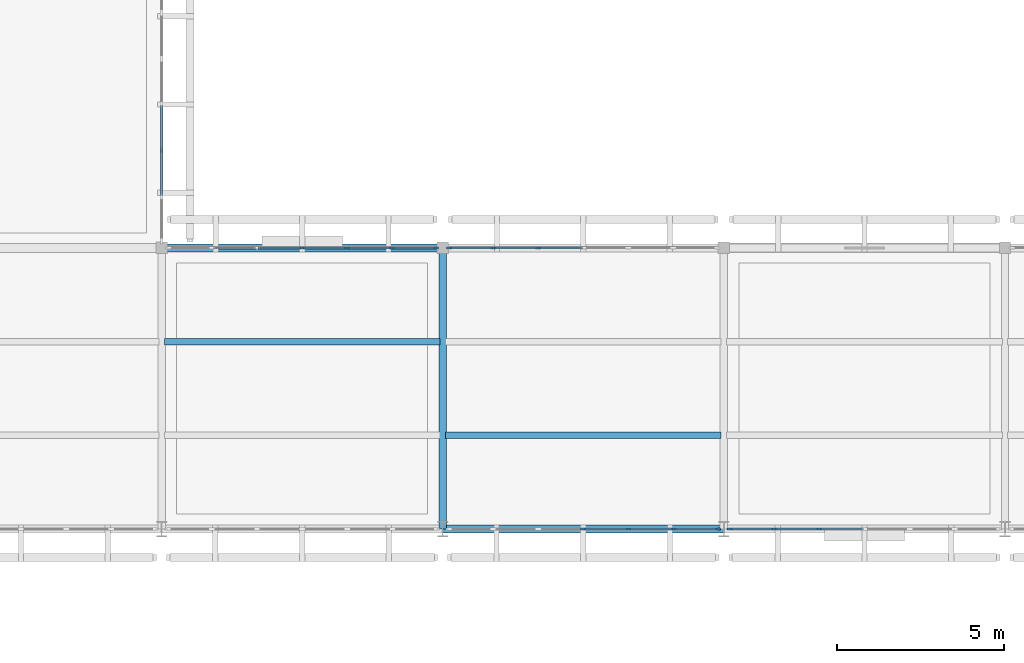
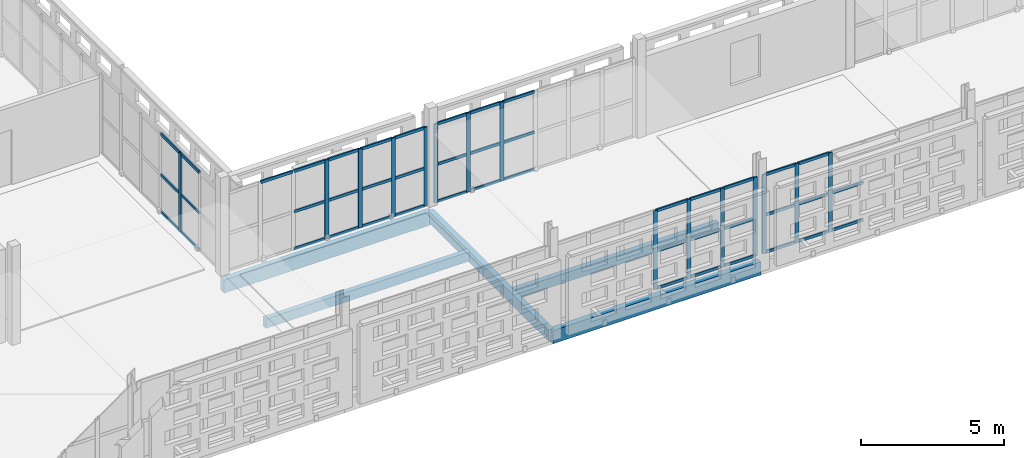
# One storey, part 53 of 140: 60 members, 5 beams, 5 elements without a shape of their own.
"""IFC4 building model written with IfcOpenShell, lengths in metres."""

from ifc_helpers import new_model, si_unit, direction, frame, origin, origin_2d, place, context, subcontext, project, spatial, rectangle, extrude, material, layer, layer_set, material_profile, profile_set, type_object, element, aggregate, save


model = new_model("IFC4")

# Units and contexts
model_context = context("Model", 3, precision=1e-05, world=origin(), true_north=direction((0.0, 1.0)))
body_context = subcontext(model_context, "Body", "Model", "MODEL_VIEW")
ifc_project = project(units=[si_unit("LENGTHUNIT", "METRE"), si_unit("AREAUNIT", "SQUARE_METRE"), si_unit("VOLUMEUNIT", "CUBIC_METRE"), si_unit("PLANEANGLEUNIT", "RADIAN"), si_unit("MASSUNIT", "GRAM", prefix="KILO")], contexts=[model_context])

# Site, building, storey
site_placement = place(None, origin())
site = spatial("IfcSite", under=ifc_project, at=site_placement, CompositionType="ELEMENT")
building_placement = place(site_placement, origin())
building = spatial("IfcBuilding", under=site, at=building_placement, Name="Varnapada Polytechnic", CompositionType="ELEMENT")
storey_placement = place(building_placement, frame((0.0, 0.0, 13.800048828125)))
storey = spatial("IfcBuildingStorey", under=building, at=storey_placement, Name="L03", CompositionType="ELEMENT", Elevation=13.800048828125)

# Beams
ifc_material_1 = material(Name="Glulam GL32h", Category="wood")
ifc_material_profile_1 = material_profile(ifc_material_1, rectangle(XDim=0.199951171875, YDim=0.39990234375, at=origin_2d()), Name="GL 200x400")
ifc_profile_set_1 = profile_set([ifc_material_profile_1], Name="Glulam GL32h")
beam_type_1 = type_object("IfcBeamType", Name="Library/laboratory glulam floor joist GJ-01 (GL 200x400)", PredefinedType="JOIST", material=ifc_profile_set_1)
for number, where, z_axis, x_axis, name in (
    (1, (67.280029296875, 89.60009765625, -0.43994140625), (1.0, 0.0, 0.0), (0.0, 1.0, 0.0), "L03 floor joist 9/11.2"),
    (2, (75.679931640625, 86.800048828125, -0.43994140625), (1.0, 0.0, 0.0), (0.0, 1.0, 0.0), "L03 floor joist 10/11.1"),
):
    element("IfcBeam", number, at=place(storey_placement, frame(where, z_axis=z_axis, x_axis=x_axis)), inside=storey, type_object=beam_type_1, Name=name, PredefinedType="JOIST", context=body_context, shape_type="SweptSolid", body=[
        extrude(rectangle(XDim=0.199951171875, YDim=0.39990234375, at=origin_2d()), origin(), (0.0, 0.0, 1.0), 8.239990234375),
    ])

# Curtain wall, member
ifc_material_2 = material(Name="Double low-E laminated glass", Category="glass")
ifc_layer_1 = layer(ifc_material_2, 0.159912109375)
ifc_layer_set_1 = layer_set([ifc_layer_1], Name="Double low-E laminated glass")
curtain_wall_type_1 = type_object("IfcCurtainWallType", Name="Curtain Wall CW-02", PredefinedType="NOTDEFINED", material=ifc_layer_set_1)
curtain_wall_1_placement = place(storey_placement, origin())
curtain_wall_1 = element("IfcCurtainWall", 3, at=curtain_wall_1_placement, inside=storey, type_object=curtain_wall_type_1, Name="L03 unitised curtain wall CW-02 (230)", PredefinedType="NOTDEFINED")
ifc_material_3 = material(Name="Anodised aluminium", Category="aluminium")
ifc_material_profile_2 = material_profile(ifc_material_3, rectangle(XDim=0.06005859375, YDim=0.159912109375, at=origin_2d()), Name="ALU M60x160")
ifc_profile_set_2 = profile_set([ifc_material_profile_2], Name="Anodised aluminium")
member_type_1 = type_object("IfcMemberType", Name="Mullion M-01", PredefinedType="MULLION", material=ifc_profile_set_2)
member_1_placement = place(storey_placement, frame((67.199951171875, 95.313232421875, 0.0), z_axis=(0.0, 0.0, 1.0), x_axis=(1.0, 0.0, 0.0)))
member_1 = element("IfcMember", 4, at=member_1_placement, type_object=member_type_1, Name="CW-02 mullion 5", PredefinedType="MULLION", context=body_context, shape_type="SweptSolid", body=[
    extrude(rectangle(XDim=0.06005859375, YDim=0.159912109375, at=origin_2d()), origin(), (0.0, 0.0, 1.0), 3.35986328125),
])

# Curtain wall, members
curtain_wall_2_placement = place(storey_placement, origin())
curtain_wall_2 = element("IfcCurtainWall", 5, at=curtain_wall_2_placement, inside=storey, type_object=curtain_wall_type_1, Name="L03 unitised curtain wall CW-02 (235)", PredefinedType="NOTDEFINED")
member_2_placement = place(storey_placement, frame((71.39990234375, 92.39990234375, 0.0), z_axis=(0.0, 0.0, 1.0), x_axis=(0.0, 1.0, 0.0)))
member_2 = element("IfcMember", 6, at=member_2_placement, type_object=member_type_1, Name="CW-02 mullion 4", PredefinedType="MULLION", context=body_context, shape_type="SweptSolid", body=[
    extrude(rectangle(XDim=0.06005859375, YDim=0.159912109375, at=origin_2d()), origin(), (0.0, 0.0, 1.0), 3.35986328125),
])
member_3_placement = place(storey_placement, frame((72.743408203125, 92.39990234375, 0.0), z_axis=(0.0, 0.0, 1.0), x_axis=(0.0, 1.0, 0.0)))
member_3 = element("IfcMember", 7, at=member_3_placement, type_object=member_type_1, Name="CW-02 mullion 5", PredefinedType="MULLION", context=body_context, shape_type="SweptSolid", body=[
    extrude(rectangle(XDim=0.06005859375, YDim=0.159912109375, at=origin_2d()), origin(), (0.0, 0.0, 1.0), 3.35986328125),
])
member_4_placement = place(storey_placement, frame((74.086669921875, 92.39990234375, 0.0), z_axis=(0.0, 0.0, 1.0), x_axis=(0.0, 1.0, 0.0)))
member_4 = element("IfcMember", 8, at=member_4_placement, type_object=member_type_1, Name="CW-02 mullion 6", PredefinedType="MULLION", context=body_context, shape_type="SweptSolid", body=[
    extrude(rectangle(XDim=0.06005859375, YDim=0.159912109375, at=origin_2d()), origin(), (0.0, 0.0, 1.0), 3.35986328125),
])
member_5_placement = place(storey_placement, frame((75.39990234375, 92.39990234375, 0.0), z_axis=(0.0, 0.0, 1.0), x_axis=(0.0, 1.0, 0.0)))
member_5 = element("IfcMember", 9, at=member_5_placement, type_object=member_type_1, Name="CW-02 mullion 7", PredefinedType="MULLION", context=body_context, shape_type="SweptSolid", body=[
    extrude(rectangle(XDim=0.06005859375, YDim=0.159912109375, at=origin_2d()), origin(), (0.0, 0.0, 1.0), 3.35986328125),
])

ifc_layer_2 = layer(ifc_material_2, 0.159912109375)
ifc_layer_set_2 = layer_set([ifc_layer_2], Name="Double low-E laminated glass")
curtain_wall_type_2 = type_object("IfcCurtainWallType", Name="Curtain Wall CW-01", PredefinedType="NOTDEFINED", material=ifc_layer_set_2)
curtain_wall_3_placement = place(storey_placement, origin())
curtain_wall_3 = element("IfcCurtainWall", 10, at=curtain_wall_3_placement, inside=storey, type_object=curtain_wall_type_2, Name="L03 unitised curtain wall CW-01 (236)", PredefinedType="NOTDEFINED")
member_6_placement = place(storey_placement, frame((83.820068359375, 84.0, 0.0), z_axis=(0.0, 0.0, 1.0), x_axis=(0.0, -1.0, 0.0)))
member_6 = element("IfcMember", 11, at=member_6_placement, type_object=member_type_1, Name="CW-01 mullion 1", PredefinedType="MULLION", context=body_context, shape_type="SweptSolid", body=[
    extrude(rectangle(XDim=0.06005859375, YDim=0.159912109375, at=origin_2d()), origin(), (0.0, 0.0, 1.0), 3.35986328125),
])
member_7_placement = place(storey_placement, frame((82.5, 84.0, 0.0), z_axis=(0.0, 0.0, 1.0), x_axis=(0.0, -1.0, 0.0)))
member_7 = element("IfcMember", 12, at=member_7_placement, type_object=member_type_1, Name="CW-01 mullion 2", PredefinedType="MULLION", context=body_context, shape_type="SweptSolid", body=[
    extrude(rectangle(XDim=0.06005859375, YDim=0.159912109375, at=origin_2d()), origin(), (0.0, 0.0, 1.0), 3.35986328125),
])
member_8_placement = place(storey_placement, frame((81.14990234375, 84.0, 0.0), z_axis=(0.0, 0.0, 1.0), x_axis=(0.0, -1.0, 0.0)))
member_8 = element("IfcMember", 13, at=member_8_placement, type_object=member_type_1, Name="CW-01 mullion 3", PredefinedType="MULLION", context=body_context, shape_type="SweptSolid", body=[
    extrude(rectangle(XDim=0.06005859375, YDim=0.159912109375, at=origin_2d()), origin(), (0.0, 0.0, 1.0), 3.35986328125),
])
member_9_placement = place(storey_placement, frame((79.800048828125, 84.0, 0.0), z_axis=(0.0, 0.0, 1.0), x_axis=(0.0, -1.0, 0.0)))
member_9 = element("IfcMember", 14, at=member_9_placement, type_object=member_type_1, Name="CW-01 mullion 4", PredefinedType="MULLION", context=body_context, shape_type="SweptSolid", body=[
    extrude(rectangle(XDim=0.06005859375, YDim=0.159912109375, at=origin_2d()), origin(), (0.0, 0.0, 1.0), 3.35986328125),
])

curtain_wall_4_placement = place(storey_placement, origin())
curtain_wall_4 = element("IfcCurtainWall", 15, at=curtain_wall_4_placement, inside=storey, type_object=curtain_wall_type_1, Name="L03 unitised curtain wall CW-02 (237)", PredefinedType="NOTDEFINED")
member_10_placement = place(storey_placement, frame((75.800048828125, 92.39990234375, 0.0), z_axis=(0.0, 0.0, 1.0), x_axis=(0.0, 1.0, 0.0)))
member_10 = element("IfcMember", 16, at=member_10_placement, type_object=member_type_1, Name="CW-02 mullion 1", PredefinedType="MULLION", context=body_context, shape_type="SweptSolid", body=[
    extrude(rectangle(XDim=0.06005859375, YDim=0.159912109375, at=origin_2d()), origin(), (0.0, 0.0, 1.0), 3.35986328125),
])
member_11_placement = place(storey_placement, frame((77.11328125, 92.39990234375, 0.0), z_axis=(0.0, 0.0, 1.0), x_axis=(0.0, 1.0, 0.0)))
member_11 = element("IfcMember", 17, at=member_11_placement, type_object=member_type_1, Name="CW-02 mullion 2", PredefinedType="MULLION", context=body_context, shape_type="SweptSolid", body=[
    extrude(rectangle(XDim=0.06005859375, YDim=0.159912109375, at=origin_2d()), origin(), (0.0, 0.0, 1.0), 3.35986328125),
])
member_12_placement = place(storey_placement, frame((78.456787109375, 92.39990234375, 0.0), z_axis=(0.0, 0.0, 1.0), x_axis=(0.0, 1.0, 0.0)))
member_12 = element("IfcMember", 18, at=member_12_placement, type_object=member_type_1, Name="CW-02 mullion 3", PredefinedType="MULLION", context=body_context, shape_type="SweptSolid", body=[
    extrude(rectangle(XDim=0.06005859375, YDim=0.159912109375, at=origin_2d()), origin(), (0.0, 0.0, 1.0), 3.35986328125),
])

curtain_wall_5_placement = place(storey_placement, origin())
curtain_wall_5 = element("IfcCurtainWall", 19, at=curtain_wall_5_placement, inside=storey, type_object=curtain_wall_type_2, Name="L03 unitised curtain wall CW-01 (238)", PredefinedType="NOTDEFINED")
member_13_placement = place(storey_placement, frame((86.85009765625, 84.0, 0.0), z_axis=(0.0, 0.0, 1.0), x_axis=(0.0, -1.0, 0.0)))
member_13 = element("IfcMember", 20, at=member_13_placement, type_object=member_type_1, Name="CW-01 mullion 5", PredefinedType="MULLION", context=body_context, shape_type="SweptSolid", body=[
    extrude(rectangle(XDim=0.06005859375, YDim=0.159912109375, at=origin_2d()), origin(), (0.0, 0.0, 1.0), 3.35986328125),
])
member_14_placement = place(storey_placement, frame((85.5, 84.0, 0.0), z_axis=(0.0, 0.0, 1.0), x_axis=(0.0, -1.0, 0.0)))
member_14 = element("IfcMember", 21, at=member_14_placement, type_object=member_type_1, Name="CW-01 mullion 6", PredefinedType="MULLION", context=body_context, shape_type="SweptSolid", body=[
    extrude(rectangle(XDim=0.06005859375, YDim=0.159912109375, at=origin_2d()), origin(), (0.0, 0.0, 1.0), 3.35986328125),
])
member_15_placement = place(storey_placement, frame((84.179931640625, 84.0, 0.0), z_axis=(0.0, 0.0, 1.0), x_axis=(0.0, -1.0, 0.0)))
member_15 = element("IfcMember", 22, at=member_15_placement, type_object=member_type_1, Name="CW-01 mullion 7", PredefinedType="MULLION", context=body_context, shape_type="SweptSolid", body=[
    extrude(rectangle(XDim=0.06005859375, YDim=0.159912109375, at=origin_2d()), origin(), (0.0, 0.0, 1.0), 3.35986328125),
])

# Beams
ifc_material_profile_3 = material_profile(ifc_material_1, rectangle(XDim=0.239990234375, YDim=0.56005859375, at=origin_2d()), Name="GL 240x560")
ifc_profile_set_3 = profile_set([ifc_material_profile_3], Name="Glulam GL32h")
beam_type_2 = type_object("IfcBeamType", Name="Perimeter glulam spandrel beam SP-02 (GL 240x560)", PredefinedType="SPANDREL", material=ifc_profile_set_3)
beam_1_placement = place(storey_placement, frame((67.199951171875, 92.39990234375, -0.52001953125), z_axis=(1.0, 0.0, 0.0), x_axis=(0.0, 1.0, 0.0)))
element("IfcBeam", 23, at=beam_1_placement, inside=storey, type_object=beam_type_2, Name="L03 beam X 9-10 at Y12", PredefinedType="SPANDREL", context=body_context, shape_type="SweptSolid", body=[
    extrude(rectangle(XDim=0.239990234375, YDim=0.56005859375, at=origin_2d()), origin(), (0.0, 0.0, 1.0), 8.400146484375),
])
beam_2_placement = place(storey_placement, frame((75.60009765625, 84.0, -0.52001953125), z_axis=(1.0, 0.0, 0.0), x_axis=(0.0, 1.0, 0.0)))
element("IfcBeam", 24, at=beam_2_placement, inside=storey, type_object=beam_type_2, Name="L03 beam X 10-11 at Y11", PredefinedType="SPANDREL", context=body_context, shape_type="SweptSolid", body=[
    extrude(rectangle(XDim=0.239990234375, YDim=0.56005859375, at=origin_2d()), origin(), (0.0, 0.0, 1.0), 8.39990234375),
])

# Member
ifc_material_profile_4 = material_profile(ifc_material_3, rectangle(XDim=0.06005859375, YDim=0.1201171875, at=origin_2d()), Name="ALU T60x120")
ifc_profile_set_4 = profile_set([ifc_material_profile_4], Name="Anodised aluminium")
member_type_2 = type_object("IfcMemberType", Name="Transom T-01", PredefinedType="USERDEFINED", material=ifc_profile_set_4)
member_16_placement = place(storey_placement, frame((67.199951171875, 96.655029296875, 0.030029296875), z_axis=(0.0, -1.0, 0.0), x_axis=(1.0, 0.0, 0.0)))
member_16 = element("IfcMember", 25, at=member_16_placement, type_object=member_type_2, Name="CW-02 transom 4.1", ObjectType="TRANSOM", PredefinedType="USERDEFINED", context=body_context, shape_type="SweptSolid", body=[
    extrude(rectangle(XDim=0.06005859375, YDim=0.1201171875, at=origin_2d()), origin(), (0.0, 0.0, 1.0), 1.311767578125),
])

member_17_placement = place(storey_placement, frame((67.199951171875, 96.655029296875, 1.61279296875), z_axis=(0.0, -1.0, 0.0), x_axis=(1.0, 0.0, 0.0)))
member_17 = element("IfcMember", 26, at=member_17_placement, type_object=member_type_2, Name="CW-02 transom 4.2", ObjectType="TRANSOM", PredefinedType="USERDEFINED", context=body_context, shape_type="SweptSolid", body=[
    extrude(rectangle(XDim=0.06005859375, YDim=0.1201171875, at=origin_2d()), origin(), (0.0, 0.0, 1.0), 1.311767578125),
])

member_18_placement = place(storey_placement, frame((67.199951171875, 96.655029296875, 3.329833984375), z_axis=(0.0, -1.0, 0.0), x_axis=(1.0, 0.0, 0.0)))
member_18 = element("IfcMember", 27, at=member_18_placement, type_object=member_type_2, Name="CW-02 transom 4.3", ObjectType="TRANSOM", PredefinedType="USERDEFINED", context=body_context, shape_type="SweptSolid", body=[
    extrude(rectangle(XDim=0.06005859375, YDim=0.1201171875, at=origin_2d()), origin(), (0.0, 0.0, 1.0), 1.311767578125),
])

member_19_placement = place(storey_placement, frame((67.199951171875, 95.283447265625, 0.030029296875), z_axis=(0.0, -1.0, 0.0), x_axis=(1.0, 0.0, 0.0)))
member_19 = element("IfcMember", 28, at=member_19_placement, type_object=member_type_2, Name="CW-02 transom 5.1", ObjectType="TRANSOM", PredefinedType="USERDEFINED", context=body_context, shape_type="SweptSolid", body=[
    extrude(rectangle(XDim=0.06005859375, YDim=0.1201171875, at=origin_2d()), origin(), (0.0, 0.0, 1.0), 1.311767578125),
])

member_20_placement = place(storey_placement, frame((67.199951171875, 95.283447265625, 1.61279296875), z_axis=(0.0, -1.0, 0.0), x_axis=(1.0, 0.0, 0.0)))
member_20 = element("IfcMember", 29, at=member_20_placement, type_object=member_type_2, Name="CW-02 transom 5.2", ObjectType="TRANSOM", PredefinedType="USERDEFINED", context=body_context, shape_type="SweptSolid", body=[
    extrude(rectangle(XDim=0.06005859375, YDim=0.1201171875, at=origin_2d()), origin(), (0.0, 0.0, 1.0), 1.311767578125),
])

member_21_placement = place(storey_placement, frame((67.199951171875, 95.283447265625, 3.329833984375), z_axis=(0.0, -1.0, 0.0), x_axis=(1.0, 0.0, 0.0)))
member_21 = element("IfcMember", 30, at=member_21_placement, type_object=member_type_2, Name="CW-02 transom 5.3", ObjectType="TRANSOM", PredefinedType="USERDEFINED", context=body_context, shape_type="SweptSolid", body=[
    extrude(rectangle(XDim=0.06005859375, YDim=0.1201171875, at=origin_2d()), origin(), (0.0, 0.0, 1.0), 1.311767578125),
])

aggregate(curtain_wall_1, [member_1, member_16, member_17, member_18, member_19, member_20, member_21])

member_22_placement = place(storey_placement, frame((68.743408203125, 92.39990234375, 3.329833984375), z_axis=(1.0, 0.0, 0.0), x_axis=(0.0, 1.0, 0.0)))
member_22 = element("IfcMember", 31, at=member_22_placement, type_object=member_type_2, Name="CW-02 transom 2.3", ObjectType="TRANSOM", PredefinedType="USERDEFINED", context=body_context, shape_type="SweptSolid", body=[
    extrude(rectangle(XDim=0.06005859375, YDim=0.1201171875, at=origin_2d()), origin(), (0.0, 0.0, 1.0), 1.283203125),
])

member_23_placement = place(storey_placement, frame((70.086669921875, 92.39990234375, 0.030029296875), z_axis=(1.0, 0.0, 0.0), x_axis=(0.0, 1.0, 0.0)))
member_23 = element("IfcMember", 32, at=member_23_placement, type_object=member_type_2, Name="CW-02 transom 3.1", ObjectType="TRANSOM", PredefinedType="USERDEFINED", context=body_context, shape_type="SweptSolid", body=[
    extrude(rectangle(XDim=0.06005859375, YDim=0.1201171875, at=origin_2d()), origin(), (0.0, 0.0, 1.0), 1.283447265625),
])

member_24_placement = place(storey_placement, frame((70.086669921875, 92.39990234375, 1.61279296875), z_axis=(1.0, 0.0, 0.0), x_axis=(0.0, 1.0, 0.0)))
member_24 = element("IfcMember", 33, at=member_24_placement, type_object=member_type_2, Name="CW-02 transom 3.2", ObjectType="TRANSOM", PredefinedType="USERDEFINED", context=body_context, shape_type="SweptSolid", body=[
    extrude(rectangle(XDim=0.06005859375, YDim=0.1201171875, at=origin_2d()), origin(), (0.0, 0.0, 1.0), 1.283447265625),
])

member_25_placement = place(storey_placement, frame((70.086669921875, 92.39990234375, 3.329833984375), z_axis=(1.0, 0.0, 0.0), x_axis=(0.0, 1.0, 0.0)))
member_25 = element("IfcMember", 34, at=member_25_placement, type_object=member_type_2, Name="CW-02 transom 3.3", ObjectType="TRANSOM", PredefinedType="USERDEFINED", context=body_context, shape_type="SweptSolid", body=[
    extrude(rectangle(XDim=0.06005859375, YDim=0.1201171875, at=origin_2d()), origin(), (0.0, 0.0, 1.0), 1.283447265625),
])

member_26_placement = place(storey_placement, frame((71.429931640625, 92.39990234375, 0.030029296875), z_axis=(1.0, 0.0, 0.0), x_axis=(0.0, 1.0, 0.0)))
member_26 = element("IfcMember", 35, at=member_26_placement, type_object=member_type_2, Name="CW-02 transom 4.1", ObjectType="TRANSOM", PredefinedType="USERDEFINED", context=body_context, shape_type="SweptSolid", body=[
    extrude(rectangle(XDim=0.06005859375, YDim=0.1201171875, at=origin_2d()), origin(), (0.0, 0.0, 1.0), 1.283447265625),
])

member_27_placement = place(storey_placement, frame((71.429931640625, 92.39990234375, 1.61279296875), z_axis=(1.0, 0.0, 0.0), x_axis=(0.0, 1.0, 0.0)))
member_27 = element("IfcMember", 36, at=member_27_placement, type_object=member_type_2, Name="CW-02 transom 4.2", ObjectType="TRANSOM", PredefinedType="USERDEFINED", context=body_context, shape_type="SweptSolid", body=[
    extrude(rectangle(XDim=0.06005859375, YDim=0.1201171875, at=origin_2d()), origin(), (0.0, 0.0, 1.0), 1.283447265625),
])

member_28_placement = place(storey_placement, frame((71.429931640625, 92.39990234375, 3.329833984375), z_axis=(1.0, 0.0, 0.0), x_axis=(0.0, 1.0, 0.0)))
member_28 = element("IfcMember", 37, at=member_28_placement, type_object=member_type_2, Name="CW-02 transom 4.3", ObjectType="TRANSOM", PredefinedType="USERDEFINED", context=body_context, shape_type="SweptSolid", body=[
    extrude(rectangle(XDim=0.06005859375, YDim=0.1201171875, at=origin_2d()), origin(), (0.0, 0.0, 1.0), 1.283447265625),
])

member_29_placement = place(storey_placement, frame((72.7734375, 92.39990234375, 0.030029296875), z_axis=(1.0, 0.0, 0.0), x_axis=(0.0, 1.0, 0.0)))
member_29 = element("IfcMember", 38, at=member_29_placement, type_object=member_type_2, Name="CW-02 transom 5.1", ObjectType="TRANSOM", PredefinedType="USERDEFINED", context=body_context, shape_type="SweptSolid", body=[
    extrude(rectangle(XDim=0.06005859375, YDim=0.1201171875, at=origin_2d()), origin(), (0.0, 0.0, 1.0), 1.283203125),
])

member_30_placement = place(storey_placement, frame((72.7734375, 92.39990234375, 1.61279296875), z_axis=(1.0, 0.0, 0.0), x_axis=(0.0, 1.0, 0.0)))
member_30 = element("IfcMember", 39, at=member_30_placement, type_object=member_type_2, Name="CW-02 transom 5.2", ObjectType="TRANSOM", PredefinedType="USERDEFINED", context=body_context, shape_type="SweptSolid", body=[
    extrude(rectangle(XDim=0.06005859375, YDim=0.1201171875, at=origin_2d()), origin(), (0.0, 0.0, 1.0), 1.283203125),
])

member_31_placement = place(storey_placement, frame((72.7734375, 92.39990234375, 3.329833984375), z_axis=(1.0, 0.0, 0.0), x_axis=(0.0, 1.0, 0.0)))
member_31 = element("IfcMember", 40, at=member_31_placement, type_object=member_type_2, Name="CW-02 transom 5.3", ObjectType="TRANSOM", PredefinedType="USERDEFINED", context=body_context, shape_type="SweptSolid", body=[
    extrude(rectangle(XDim=0.06005859375, YDim=0.1201171875, at=origin_2d()), origin(), (0.0, 0.0, 1.0), 1.283203125),
])

member_32_placement = place(storey_placement, frame((74.11669921875, 92.39990234375, 0.030029296875), z_axis=(1.0, 0.0, 0.0), x_axis=(0.0, 1.0, 0.0)))
member_32 = element("IfcMember", 41, at=member_32_placement, type_object=member_type_2, Name="CW-02 transom 6.1", ObjectType="TRANSOM", PredefinedType="USERDEFINED", context=body_context, shape_type="SweptSolid", body=[
    extrude(rectangle(XDim=0.06005859375, YDim=0.1201171875, at=origin_2d()), origin(), (0.0, 0.0, 1.0), 1.25341796875),
])

member_33_placement = place(storey_placement, frame((74.11669921875, 92.39990234375, 1.61279296875), z_axis=(1.0, 0.0, 0.0), x_axis=(0.0, 1.0, 0.0)))
member_33 = element("IfcMember", 42, at=member_33_placement, type_object=member_type_2, Name="CW-02 transom 6.2", ObjectType="TRANSOM", PredefinedType="USERDEFINED", context=body_context, shape_type="SweptSolid", body=[
    extrude(rectangle(XDim=0.06005859375, YDim=0.1201171875, at=origin_2d()), origin(), (0.0, 0.0, 1.0), 1.25341796875),
])

member_34_placement = place(storey_placement, frame((74.11669921875, 92.39990234375, 3.329833984375), z_axis=(1.0, 0.0, 0.0), x_axis=(0.0, 1.0, 0.0)))
member_34 = element("IfcMember", 43, at=member_34_placement, type_object=member_type_2, Name="CW-02 transom 6.3", ObjectType="TRANSOM", PredefinedType="USERDEFINED", context=body_context, shape_type="SweptSolid", body=[
    extrude(rectangle(XDim=0.06005859375, YDim=0.1201171875, at=origin_2d()), origin(), (0.0, 0.0, 1.0), 1.25341796875),
])

aggregate(curtain_wall_2, [member_2, member_3, member_4, member_5, member_22, member_23, member_24, member_25, member_26, member_27, member_28, member_29, member_30, member_31, member_32, member_33, member_34])

member_35_placement = place(storey_placement, frame((83.7900390625, 84.0, 0.030029296875), z_axis=(-1.0, 0.0, 0.0), x_axis=(0.0, -1.0, 0.0)))
member_35 = element("IfcMember", 44, at=member_35_placement, type_object=member_type_2, Name="CW-01 transom 1.1", ObjectType="TRANSOM", PredefinedType="USERDEFINED", context=body_context, shape_type="SweptSolid", body=[
    extrude(rectangle(XDim=0.06005859375, YDim=0.1201171875, at=origin_2d()), origin(), (0.0, 0.0, 1.0), 1.260009765625),
])

member_36_placement = place(storey_placement, frame((83.7900390625, 84.0, 1.61279296875), z_axis=(-1.0, 0.0, 0.0), x_axis=(0.0, -1.0, 0.0)))
member_36 = element("IfcMember", 45, at=member_36_placement, type_object=member_type_2, Name="CW-01 transom 1.2", ObjectType="TRANSOM", PredefinedType="USERDEFINED", context=body_context, shape_type="SweptSolid", body=[
    extrude(rectangle(XDim=0.06005859375, YDim=0.1201171875, at=origin_2d()), origin(), (0.0, 0.0, 1.0), 1.260009765625),
])

member_37_placement = place(storey_placement, frame((83.7900390625, 84.0, 3.329833984375), z_axis=(-1.0, 0.0, 0.0), x_axis=(0.0, -1.0, 0.0)))
member_37 = element("IfcMember", 46, at=member_37_placement, type_object=member_type_2, Name="CW-01 transom 1.3", ObjectType="TRANSOM", PredefinedType="USERDEFINED", context=body_context, shape_type="SweptSolid", body=[
    extrude(rectangle(XDim=0.06005859375, YDim=0.1201171875, at=origin_2d()), origin(), (0.0, 0.0, 1.0), 1.260009765625),
])

member_38_placement = place(storey_placement, frame((82.469970703125, 84.0, 0.030029296875), z_axis=(-1.0, 0.0, 0.0), x_axis=(0.0, -1.0, 0.0)))
member_38 = element("IfcMember", 47, at=member_38_placement, type_object=member_type_2, Name="CW-01 transom 2.1", ObjectType="TRANSOM", PredefinedType="USERDEFINED", context=body_context, shape_type="SweptSolid", body=[
    extrude(rectangle(XDim=0.06005859375, YDim=0.1201171875, at=origin_2d()), origin(), (0.0, 0.0, 1.0), 1.2900390625),
])

member_39_placement = place(storey_placement, frame((82.469970703125, 84.0, 1.61279296875), z_axis=(-1.0, 0.0, 0.0), x_axis=(0.0, -1.0, 0.0)))
member_39 = element("IfcMember", 48, at=member_39_placement, type_object=member_type_2, Name="CW-01 transom 2.2", ObjectType="TRANSOM", PredefinedType="USERDEFINED", context=body_context, shape_type="SweptSolid", body=[
    extrude(rectangle(XDim=0.06005859375, YDim=0.1201171875, at=origin_2d()), origin(), (0.0, 0.0, 1.0), 1.2900390625),
])

member_40_placement = place(storey_placement, frame((82.469970703125, 84.0, 3.329833984375), z_axis=(-1.0, 0.0, 0.0), x_axis=(0.0, -1.0, 0.0)))
member_40 = element("IfcMember", 49, at=member_40_placement, type_object=member_type_2, Name="CW-01 transom 2.3", ObjectType="TRANSOM", PredefinedType="USERDEFINED", context=body_context, shape_type="SweptSolid", body=[
    extrude(rectangle(XDim=0.06005859375, YDim=0.1201171875, at=origin_2d()), origin(), (0.0, 0.0, 1.0), 1.2900390625),
])

member_41_placement = place(storey_placement, frame((81.1201171875, 84.0, 0.030029296875), z_axis=(-1.0, 0.0, 0.0), x_axis=(0.0, -1.0, 0.0)))
member_41 = element("IfcMember", 50, at=member_41_placement, type_object=member_type_2, Name="CW-01 transom 3.1", ObjectType="TRANSOM", PredefinedType="USERDEFINED", context=body_context, shape_type="SweptSolid", body=[
    extrude(rectangle(XDim=0.06005859375, YDim=0.1201171875, at=origin_2d()), origin(), (0.0, 0.0, 1.0), 1.2900390625),
])

member_42_placement = place(storey_placement, frame((81.1201171875, 84.0, 1.61279296875), z_axis=(-1.0, 0.0, 0.0), x_axis=(0.0, -1.0, 0.0)))
member_42 = element("IfcMember", 51, at=member_42_placement, type_object=member_type_2, Name="CW-01 transom 3.2", ObjectType="TRANSOM", PredefinedType="USERDEFINED", context=body_context, shape_type="SweptSolid", body=[
    extrude(rectangle(XDim=0.06005859375, YDim=0.1201171875, at=origin_2d()), origin(), (0.0, 0.0, 1.0), 1.2900390625),
])

member_43_placement = place(storey_placement, frame((81.1201171875, 84.0, 3.329833984375), z_axis=(-1.0, 0.0, 0.0), x_axis=(0.0, -1.0, 0.0)))
member_43 = element("IfcMember", 52, at=member_43_placement, type_object=member_type_2, Name="CW-01 transom 3.3", ObjectType="TRANSOM", PredefinedType="USERDEFINED", context=body_context, shape_type="SweptSolid", body=[
    extrude(rectangle(XDim=0.06005859375, YDim=0.1201171875, at=origin_2d()), origin(), (0.0, 0.0, 1.0), 1.2900390625),
])

aggregate(curtain_wall_3, [member_6, member_7, member_8, member_9, member_35, member_36, member_37, member_38, member_39, member_40, member_41, member_42, member_43])

member_44_placement = place(storey_placement, frame((75.830078125, 92.39990234375, 0.030029296875), z_axis=(1.0, 0.0, 0.0), x_axis=(0.0, 1.0, 0.0)))
member_44 = element("IfcMember", 53, at=member_44_placement, type_object=member_type_2, Name="CW-02 transom 1.1", ObjectType="TRANSOM", PredefinedType="USERDEFINED", context=body_context, shape_type="SweptSolid", body=[
    extrude(rectangle(XDim=0.06005859375, YDim=0.1201171875, at=origin_2d()), origin(), (0.0, 0.0, 1.0), 1.253173828125),
])

member_45_placement = place(storey_placement, frame((75.830078125, 92.39990234375, 1.61279296875), z_axis=(1.0, 0.0, 0.0), x_axis=(0.0, 1.0, 0.0)))
member_45 = element("IfcMember", 54, at=member_45_placement, type_object=member_type_2, Name="CW-02 transom 1.2", ObjectType="TRANSOM", PredefinedType="USERDEFINED", context=body_context, shape_type="SweptSolid", body=[
    extrude(rectangle(XDim=0.06005859375, YDim=0.1201171875, at=origin_2d()), origin(), (0.0, 0.0, 1.0), 1.253173828125),
])

member_46_placement = place(storey_placement, frame((75.830078125, 92.39990234375, 3.329833984375), z_axis=(1.0, 0.0, 0.0), x_axis=(0.0, 1.0, 0.0)))
member_46 = element("IfcMember", 55, at=member_46_placement, type_object=member_type_2, Name="CW-02 transom 1.3", ObjectType="TRANSOM", PredefinedType="USERDEFINED", context=body_context, shape_type="SweptSolid", body=[
    extrude(rectangle(XDim=0.06005859375, YDim=0.1201171875, at=origin_2d()), origin(), (0.0, 0.0, 1.0), 1.253173828125),
])

member_47_placement = place(storey_placement, frame((77.143310546875, 92.39990234375, 0.030029296875), z_axis=(1.0, 0.0, 0.0), x_axis=(0.0, 1.0, 0.0)))
member_47 = element("IfcMember", 56, at=member_47_placement, type_object=member_type_2, Name="CW-02 transom 2.1", ObjectType="TRANSOM", PredefinedType="USERDEFINED", context=body_context, shape_type="SweptSolid", body=[
    extrude(rectangle(XDim=0.06005859375, YDim=0.1201171875, at=origin_2d()), origin(), (0.0, 0.0, 1.0), 1.283447265625),
])

member_48_placement = place(storey_placement, frame((77.143310546875, 92.39990234375, 1.61279296875), z_axis=(1.0, 0.0, 0.0), x_axis=(0.0, 1.0, 0.0)))
member_48 = element("IfcMember", 57, at=member_48_placement, type_object=member_type_2, Name="CW-02 transom 2.2", ObjectType="TRANSOM", PredefinedType="USERDEFINED", context=body_context, shape_type="SweptSolid", body=[
    extrude(rectangle(XDim=0.06005859375, YDim=0.1201171875, at=origin_2d()), origin(), (0.0, 0.0, 1.0), 1.283447265625),
])

member_49_placement = place(storey_placement, frame((77.143310546875, 92.39990234375, 3.329833984375), z_axis=(1.0, 0.0, 0.0), x_axis=(0.0, 1.0, 0.0)))
member_49 = element("IfcMember", 58, at=member_49_placement, type_object=member_type_2, Name="CW-02 transom 2.3", ObjectType="TRANSOM", PredefinedType="USERDEFINED", context=body_context, shape_type="SweptSolid", body=[
    extrude(rectangle(XDim=0.06005859375, YDim=0.1201171875, at=origin_2d()), origin(), (0.0, 0.0, 1.0), 1.283447265625),
])

member_50_placement = place(storey_placement, frame((78.486572265625, 92.39990234375, 0.030029296875), z_axis=(1.0, 0.0, 0.0), x_axis=(0.0, 1.0, 0.0)))
member_50 = element("IfcMember", 59, at=member_50_placement, type_object=member_type_2, Name="CW-02 transom 3.1", ObjectType="TRANSOM", PredefinedType="USERDEFINED", context=body_context, shape_type="SweptSolid", body=[
    extrude(rectangle(XDim=0.06005859375, YDim=0.1201171875, at=origin_2d()), origin(), (0.0, 0.0, 1.0), 1.283447265625),
])

member_51_placement = place(storey_placement, frame((78.486572265625, 92.39990234375, 1.61279296875), z_axis=(1.0, 0.0, 0.0), x_axis=(0.0, 1.0, 0.0)))
member_51 = element("IfcMember", 60, at=member_51_placement, type_object=member_type_2, Name="CW-02 transom 3.2", ObjectType="TRANSOM", PredefinedType="USERDEFINED", context=body_context, shape_type="SweptSolid", body=[
    extrude(rectangle(XDim=0.06005859375, YDim=0.1201171875, at=origin_2d()), origin(), (0.0, 0.0, 1.0), 1.283447265625),
])

member_52_placement = place(storey_placement, frame((78.486572265625, 92.39990234375, 3.329833984375), z_axis=(1.0, 0.0, 0.0), x_axis=(0.0, 1.0, 0.0)))
member_52 = element("IfcMember", 61, at=member_52_placement, type_object=member_type_2, Name="CW-02 transom 3.3", ObjectType="TRANSOM", PredefinedType="USERDEFINED", context=body_context, shape_type="SweptSolid", body=[
    extrude(rectangle(XDim=0.06005859375, YDim=0.1201171875, at=origin_2d()), origin(), (0.0, 0.0, 1.0), 1.283447265625),
])

aggregate(curtain_wall_4, [member_10, member_11, member_12, member_44, member_45, member_46, member_47, member_48, member_49, member_50, member_51, member_52])

member_53_placement = place(storey_placement, frame((88.169921875, 84.0, 0.030029296875), z_axis=(-1.0, 0.0, 0.0), x_axis=(0.0, -1.0, 0.0)))
member_53 = element("IfcMember", 62, at=member_53_placement, type_object=member_type_2, Name="CW-01 transom 4.1", ObjectType="TRANSOM", PredefinedType="USERDEFINED", context=body_context, shape_type="SweptSolid", body=[
    extrude(rectangle(XDim=0.06005859375, YDim=0.1201171875, at=origin_2d()), origin(), (0.0, 0.0, 1.0), 1.2900390625),
])

member_54_placement = place(storey_placement, frame((88.169921875, 84.0, 1.61279296875), z_axis=(-1.0, 0.0, 0.0), x_axis=(0.0, -1.0, 0.0)))
member_54 = element("IfcMember", 63, at=member_54_placement, type_object=member_type_2, Name="CW-01 transom 4.2", ObjectType="TRANSOM", PredefinedType="USERDEFINED", context=body_context, shape_type="SweptSolid", body=[
    extrude(rectangle(XDim=0.06005859375, YDim=0.1201171875, at=origin_2d()), origin(), (0.0, 0.0, 1.0), 1.2900390625),
])

member_55_placement = place(storey_placement, frame((86.820068359375, 84.0, 0.030029296875), z_axis=(-1.0, 0.0, 0.0), x_axis=(0.0, -1.0, 0.0)))
member_55 = element("IfcMember", 64, at=member_55_placement, type_object=member_type_2, Name="CW-01 transom 5.1", ObjectType="TRANSOM", PredefinedType="USERDEFINED", context=body_context, shape_type="SweptSolid", body=[
    extrude(rectangle(XDim=0.06005859375, YDim=0.1201171875, at=origin_2d()), origin(), (0.0, 0.0, 1.0), 1.2900390625),
])

member_56_placement = place(storey_placement, frame((86.820068359375, 84.0, 1.61279296875), z_axis=(-1.0, 0.0, 0.0), x_axis=(0.0, -1.0, 0.0)))
member_56 = element("IfcMember", 65, at=member_56_placement, type_object=member_type_2, Name="CW-01 transom 5.2", ObjectType="TRANSOM", PredefinedType="USERDEFINED", context=body_context, shape_type="SweptSolid", body=[
    extrude(rectangle(XDim=0.06005859375, YDim=0.1201171875, at=origin_2d()), origin(), (0.0, 0.0, 1.0), 1.2900390625),
])

member_57_placement = place(storey_placement, frame((86.820068359375, 84.0, 3.329833984375), z_axis=(-1.0, 0.0, 0.0), x_axis=(0.0, -1.0, 0.0)))
member_57 = element("IfcMember", 66, at=member_57_placement, type_object=member_type_2, Name="CW-01 transom 5.3", ObjectType="TRANSOM", PredefinedType="USERDEFINED", context=body_context, shape_type="SweptSolid", body=[
    extrude(rectangle(XDim=0.06005859375, YDim=0.1201171875, at=origin_2d()), origin(), (0.0, 0.0, 1.0), 1.2900390625),
])

member_58_placement = place(storey_placement, frame((85.469970703125, 84.0, 0.030029296875), z_axis=(-1.0, 0.0, 0.0), x_axis=(0.0, -1.0, 0.0)))
member_58 = element("IfcMember", 67, at=member_58_placement, type_object=member_type_2, Name="CW-01 transom 6.1", ObjectType="TRANSOM", PredefinedType="USERDEFINED", context=body_context, shape_type="SweptSolid", body=[
    extrude(rectangle(XDim=0.06005859375, YDim=0.1201171875, at=origin_2d()), origin(), (0.0, 0.0, 1.0), 1.260009765625),
])

member_59_placement = place(storey_placement, frame((85.469970703125, 84.0, 1.61279296875), z_axis=(-1.0, 0.0, 0.0), x_axis=(0.0, -1.0, 0.0)))
member_59 = element("IfcMember", 68, at=member_59_placement, type_object=member_type_2, Name="CW-01 transom 6.2", ObjectType="TRANSOM", PredefinedType="USERDEFINED", context=body_context, shape_type="SweptSolid", body=[
    extrude(rectangle(XDim=0.06005859375, YDim=0.1201171875, at=origin_2d()), origin(), (0.0, 0.0, 1.0), 1.260009765625),
])

member_60_placement = place(storey_placement, frame((85.469970703125, 84.0, 3.329833984375), z_axis=(-1.0, 0.0, 0.0), x_axis=(0.0, -1.0, 0.0)))
member_60 = element("IfcMember", 69, at=member_60_placement, type_object=member_type_2, Name="CW-01 transom 6.3", ObjectType="TRANSOM", PredefinedType="USERDEFINED", context=body_context, shape_type="SweptSolid", body=[
    extrude(rectangle(XDim=0.06005859375, YDim=0.1201171875, at=origin_2d()), origin(), (0.0, 0.0, 1.0), 1.260009765625),
])

aggregate(curtain_wall_5, [member_13, member_14, member_15, member_53, member_54, member_55, member_56, member_57, member_58, member_59, member_60])

# Beam
ifc_material_profile_5 = material_profile(ifc_material_1, rectangle(XDim=0.219970703125, YDim=0.47998046875, at=origin_2d()), Name="GL 220x480")
ifc_profile_set_5 = profile_set([ifc_material_profile_5], Name="Glulam GL32h")
beam_type_3 = type_object("IfcBeamType", Name="Upper floor glulam tie beam GB-11 (GL 220x480)", PredefinedType="BEAM", material=ifc_profile_set_5)
beam_3_placement = place(storey_placement, frame((75.60009765625, 84.0, -0.47998046875), z_axis=(0.0, 1.0, 0.0), x_axis=(-1.0, 0.0, 0.0)))
element("IfcBeam", 70, at=beam_3_placement, inside=storey, type_object=beam_type_3, Name="L03 beam Y 11-12 at X10", PredefinedType="BEAM", context=body_context, shape_type="SweptSolid", body=[
    extrude(rectangle(XDim=0.219970703125, YDim=0.47998046875, at=origin_2d()), origin(), (0.0, 0.0, 1.0), 8.39990234375),
])

save(model, "model.ifc")
